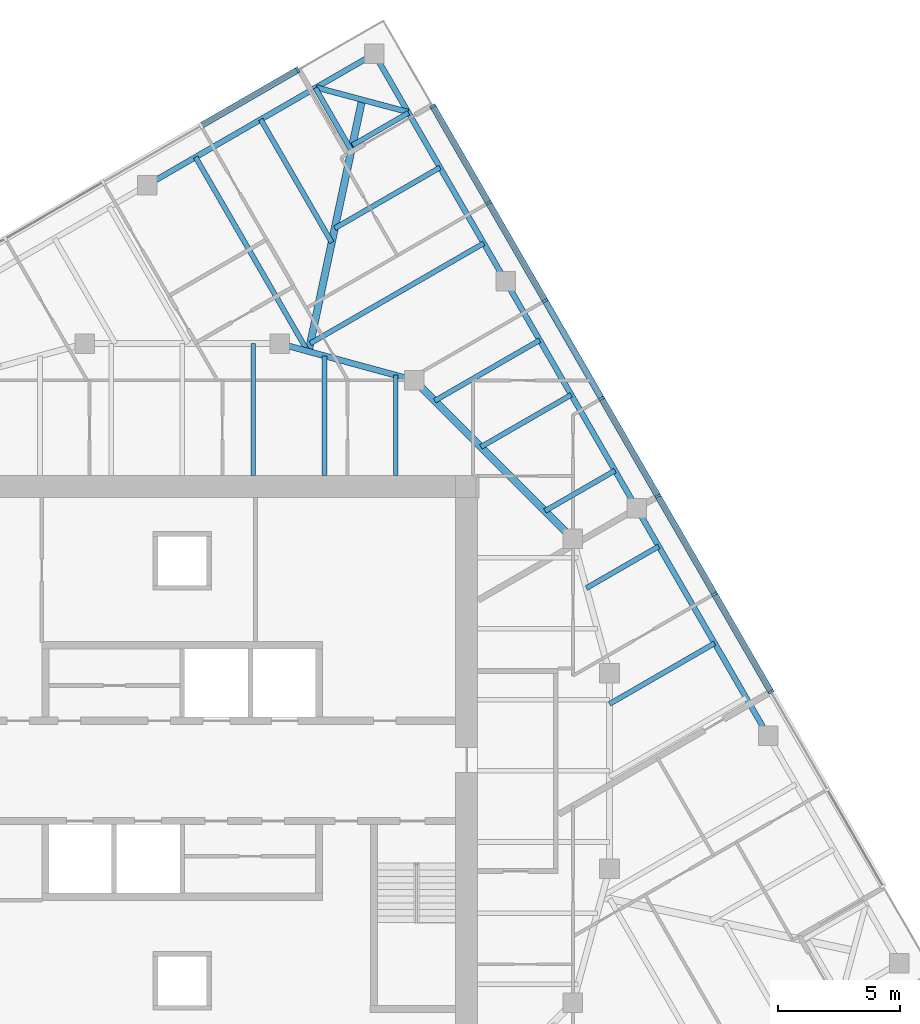
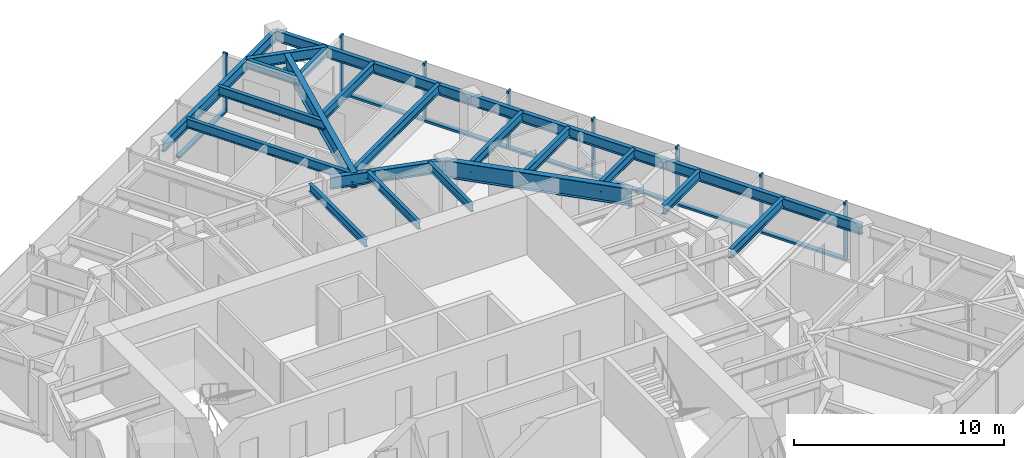
# One storey, part 5 of 12: 22 beams, 15 members, 2 elements without a shape of their own.
"""IFC4 building model written with IfcOpenShell, lengths in metres."""

from ifc_helpers import new_model, si_unit, direction, frame, origin, origin_2d, place, context, subcontext, project, spatial, rectangle, i_section, extrude, material, material_profile, profile_set, type_object, element, aggregate, save


model = new_model("IFC4")

# Units and contexts
model_context = context("Model", 3, precision=1e-05, world=origin(), true_north=direction((0.0, 1.0)))
body_context = subcontext(model_context, "Body", "Model", "MODEL_VIEW")
ifc_project = project(units=[si_unit("LENGTHUNIT", "METRE"), si_unit("AREAUNIT", "SQUARE_METRE"), si_unit("VOLUMEUNIT", "CUBIC_METRE"), si_unit("PLANEANGLEUNIT", "RADIAN"), si_unit("MASSUNIT", "GRAM", prefix="KILO")], contexts=[model_context])

# Site, building, storey
site_placement = place(None, origin())
site = spatial("IfcSite", under=ifc_project, at=site_placement, CompositionType="ELEMENT")
building_placement = place(site_placement, origin())
building = spatial("IfcBuilding", under=site, at=building_placement, Name="Torsade Residences", CompositionType="ELEMENT")
storey_placement = place(building_placement, frame((0.0, 0.0, 221.800048828125)))
storey = spatial("IfcBuildingStorey", under=building, at=storey_placement, Name="L61", CompositionType="ELEMENT", Elevation=221.800048828125)

# Beams
ifc_material_1 = material(Name="Steel grade 300", Category="steel")
ifc_material_profile_1 = material_profile(ifc_material_1, i_section(OverallWidth=0.300048828125, OverallDepth=0.89990234375, WebThickness=0.011962890625, FlangeThickness=0.02490234375, at=origin_2d()), Name="900WB175")
ifc_profile_set_1 = profile_set([ifc_material_profile_1], Name="Steel grade 300")
beam_type_1 = type_object("IfcBeamType", Name="CORNER GIRDER 900WB175", PredefinedType="BEAM", material=ifc_profile_set_1)
beam_1_placement = place(storey_placement, frame((47.3662109375, 57.4912109375, 2.800048828125), z_axis=(-0.20806427425, -0.978115155685, 0.0), x_axis=(0.978115155685, -0.20806427425, 0.0)))
element("IfcBeam", 1, at=beam_1_placement, inside=storey, type_object=beam_type_1, Name="Corner girder 09 L62", PredefinedType="BEAM", context=body_context, shape_type="SweptSolid", body=[
    extrude(i_section(OverallWidth=0.300048828125, OverallDepth=0.89990234375, WebThickness=0.011962890625, FlangeThickness=0.02490234375, at=origin_2d()), origin(), (0.0, 0.0, 1.0), 10.541748046875),
])
ifc_material_2 = material(Name="Steel grade 300", Category="steel")
ifc_material_profile_2 = material_profile(ifc_material_2, i_section(OverallWidth=0.22802734375, OverallDepth=0.60205078125, WebThickness=0.010498046875, FlangeThickness=0.014892578125, FilletRadius=0.013916015625, at=origin_2d()), Name="610UB101")
ifc_profile_set_2 = profile_set([ifc_material_profile_2], Name="Steel grade 300")
beam_type_2 = type_object("IfcBeamType", Name="CORNER TRIMMER 610UB101", PredefinedType="BEAM", material=ifc_profile_set_2)
beam_2_placement = place(storey_placement, frame((45.488037109375, 57.99462890625, 2.948974609375), z_axis=(0.965924794002, -0.258822897619, 0.0), x_axis=(0.258822897619, 0.965924794002, 0.0)))
element("IfcBeam", 2, at=beam_2_placement, inside=storey, type_object=beam_type_2, Name="Corner trimmer 09 L62", PredefinedType="BEAM", context=body_context, shape_type="SweptSolid", body=[
    extrude(i_section(OverallWidth=0.22802734375, OverallDepth=0.60205078125, WebThickness=0.010498046875, FlangeThickness=0.014892578125, FilletRadius=0.013916015625, at=origin_2d()), origin(), (0.0, 0.0, 1.0), 3.88916015625),
])
ifc_material_3 = material(Name="Steel grade 300", Category="steel")
ifc_material_profile_3 = material_profile(ifc_material_3, i_section(OverallWidth=0.22900390625, OverallDepth=0.612060546875, WebThickness=0.011962890625, FlangeThickness=0.01953125, FilletRadius=0.013916015625, at=origin_2d()), Name="610UB125")
ifc_profile_set_3 = profile_set([ifc_material_profile_3], Name="Steel grade 300")
beam_type_3 = type_object("IfcBeamType", Name="EDGE BEAM 610UB125", PredefinedType="SPANDREL", material=ifc_profile_set_3)
for number, where, z_axis, x_axis, name in (
    (3, (63.99462890625, 31.440185546875, 2.94384765625), (-0.499998333915, 0.866026365697, 0.0), (-0.866026365697, -0.499998333915, 0.0), "Edge beam 06 L62"),
    (4, (58.61962890625, 40.75, 2.94384765625), (-0.499998333915, 0.866026365697, 0.0), (-0.866026365697, -0.499998333915, 0.0), "Edge beam 07 L62"),
    (5, (53.24462890625, 50.059814453125, 2.94384765625), (-0.499998333915, 0.866026365697, 0.0), (-0.866026365697, -0.499998333915, 0.0), "Edge beam 08 L62"),
    (6, (47.86962890625, 59.36962890625, 2.94384765625), (-0.866026365697, -0.499998333915, 0.0), (0.499998333915, -0.866026365697, 0.0), "Edge beam 09 L62"),
):
    element("IfcBeam", number, at=place(storey_placement, frame(where, z_axis=z_axis, x_axis=x_axis)), inside=storey, type_object=beam_type_3, Name=name, PredefinedType="SPANDREL", context=body_context, shape_type="SweptSolid", body=[
        extrude(i_section(OverallWidth=0.22900390625, OverallDepth=0.612060546875, WebThickness=0.011962890625, FlangeThickness=0.01953125, FilletRadius=0.013916015625, at=origin_2d()), origin(), (0.0, 0.0, 1.0), 10.75),
    ])

# Curtain wall, members
ifc_material_4 = material(Name="Aluminium and glass", Category="aluminium")
curtain_wall_type = type_object("IfcCurtainWallType", Name="FRITTED GLASS CURTAIN WALL HIGH ZONE", PredefinedType="NOTDEFINED", material=ifc_material_4)
curtain_wall_1_placement = place(storey_placement, origin())
curtain_wall_1 = element("IfcCurtainWall", 7, at=curtain_wall_1_placement, inside=storey, type_object=curtain_wall_type, Name="Curtain wall L61 face 4", PredefinedType="NOTDEFINED")
ifc_material_5 = material(Name="Aluminium mullion", Category="aluminium")
ifc_material_profile_4 = material_profile(ifc_material_5, rectangle(XDim=0.25, YDim=0.10009765625, at=origin_2d()), Name="HIGH ZONE CURTAIN WALL MULLION 250x100")
ifc_profile_set_4 = profile_set([ifc_material_profile_4], Name="Aluminium mullion")
member_type_1 = type_object("IfcMemberType", Name="HIGH ZONE CURTAIN WALL MULLION 250x100", PredefinedType="MULLION", material=ifc_profile_set_4)
member_1_placement = place(storey_placement, frame((64.110595703125, 33.2392578125, 0.0), z_axis=(0.0, 0.0, 1.0), x_axis=(-0.866025404186, -0.499999999305, 0.0)))
member_1 = element("IfcMember", 8, at=member_1_placement, type_object=member_type_1, Name="Mullion 3", PredefinedType="MULLION", context=body_context, shape_type="SweptSolid", body=[
    extrude(rectangle(XDim=0.25, YDim=0.10009765625, at=origin_2d()), origin(), (0.0, 0.0, 1.0), 3.39990234375),
])
member_2_placement = place(storey_placement, frame((61.798095703125, 37.24462890625, 0.0), z_axis=(0.0, 0.0, 1.0), x_axis=(-0.866025404186, -0.499999999305, 0.0)))
member_2 = element("IfcMember", 9, at=member_2_placement, type_object=member_type_1, Name="Mullion 4", PredefinedType="MULLION", context=body_context, shape_type="SweptSolid", body=[
    extrude(rectangle(XDim=0.25, YDim=0.10009765625, at=origin_2d()), origin(), (0.0, 0.0, 1.0), 3.39990234375),
])
member_3_placement = place(storey_placement, frame((59.485595703125, 41.25, 0.0), z_axis=(0.0, 0.0, 1.0), x_axis=(-0.866025404186, -0.499999999305, 0.0)))
member_3 = element("IfcMember", 10, at=member_3_placement, type_object=member_type_1, Name="Mullion 5", PredefinedType="MULLION", context=body_context, shape_type="SweptSolid", body=[
    extrude(rectangle(XDim=0.25, YDim=0.10009765625, at=origin_2d()), origin(), (0.0, 0.0, 1.0), 3.39990234375),
])
member_4_placement = place(storey_placement, frame((57.173095703125, 45.25537109375, 0.0), z_axis=(0.0, 0.0, 1.0), x_axis=(-0.866025404186, -0.499999999305, 0.0)))
member_4 = element("IfcMember", 11, at=member_4_placement, type_object=member_type_1, Name="Mullion 6", PredefinedType="MULLION", context=body_context, shape_type="SweptSolid", body=[
    extrude(rectangle(XDim=0.25, YDim=0.10009765625, at=origin_2d()), origin(), (0.0, 0.0, 1.0), 3.39990234375),
])
member_5_placement = place(storey_placement, frame((54.860595703125, 49.2607421875, 0.0), z_axis=(0.0, 0.0, 1.0), x_axis=(-0.866025404186, -0.499999999305, 0.0)))
member_5 = element("IfcMember", 12, at=member_5_placement, type_object=member_type_1, Name="Mullion 7", PredefinedType="MULLION", context=body_context, shape_type="SweptSolid", body=[
    extrude(rectangle(XDim=0.25, YDim=0.10009765625, at=origin_2d()), origin(), (0.0, 0.0, 1.0), 3.39990234375),
])
member_6_placement = place(storey_placement, frame((52.548095703125, 53.26611328125, 0.0), z_axis=(0.0, 0.0, 1.0), x_axis=(-0.866025404186, -0.499999999305, 0.0)))
member_6 = element("IfcMember", 13, at=member_6_placement, type_object=member_type_1, Name="Mullion 8", PredefinedType="MULLION", context=body_context, shape_type="SweptSolid", body=[
    extrude(rectangle(XDim=0.25, YDim=0.10009765625, at=origin_2d()), origin(), (0.0, 0.0, 1.0), 3.39990234375),
])
member_7_placement = place(storey_placement, frame((50.260498046875, 57.228271484375, 0.0), z_axis=(0.0, 0.0, 1.0), x_axis=(-0.866025404186, -0.499999999305, 0.0)))
member_7 = element("IfcMember", 14, at=member_7_placement, type_object=member_type_1, Name="Mullion 9", PredefinedType="MULLION", context=body_context, shape_type="SweptSolid", body=[
    extrude(rectangle(XDim=0.25, YDim=0.10009765625, at=origin_2d()), origin(), (0.0, 0.0, 1.0), 3.39990234375),
])

# Curtain wall, member
curtain_wall_2_placement = place(storey_placement, origin())
curtain_wall_2 = element("IfcCurtainWall", 15, at=curtain_wall_2_placement, inside=storey, type_object=curtain_wall_type, Name="Curtain wall L61 face 7", PredefinedType="NOTDEFINED")
member_8_placement = place(storey_placement, frame((44.728271484375, 58.710693359375, 0.0), z_axis=(0.0, 0.0, 1.0), x_axis=(0.499999999305, -0.866025404186, 0.0)))
member_8 = element("IfcMember", 16, at=member_8_placement, type_object=member_type_1, Name="Mullion 1", PredefinedType="MULLION", context=body_context, shape_type="SweptSolid", body=[
    extrude(rectangle(XDim=0.25, YDim=0.10009765625, at=origin_2d()), origin(), (0.0, 0.0, 1.0), 3.39990234375),
])

# Member
ifc_material_6 = material(Name="Aluminium transom", Category="aluminium")
ifc_material_profile_5 = material_profile(ifc_material_6, rectangle(XDim=0.25, YDim=0.1201171875, at=origin_2d()), Name="HIGH ZONE CURTAIN WALL TRANSOM 250x120")
ifc_profile_set_5 = profile_set([ifc_material_profile_5], Name="Aluminium transom")
member_type_2 = type_object("IfcMemberType", Name="HIGH ZONE CURTAIN WALL TRANSOM 250x120", PredefinedType="USERDEFINED", material=ifc_profile_set_5)
member_9_placement = place(storey_placement, frame((64.085693359375, 33.282470703125, 0.06005859375), z_axis=(-0.500015112013, 0.866016678684, 0.0), x_axis=(-0.866016678684, -0.500015112013, 0.0)))
member_9 = element("IfcMember", 17, at=member_9_placement, type_object=member_type_2, Name="Transom 3.1", ObjectType="TRANSOM", PredefinedType="USERDEFINED", context=body_context, shape_type="SweptSolid", body=[
    extrude(rectangle(XDim=0.25, YDim=0.1201171875, at=origin_2d()), origin(), (0.0, 0.0, 1.0), 4.525146484375),
])

member_10_placement = place(storey_placement, frame((61.773193359375, 37.287841796875, 0.06005859375), z_axis=(-0.500015112013, 0.866016678684, 0.0), x_axis=(-0.866016678684, -0.500015112013, 0.0)))
member_10 = element("IfcMember", 18, at=member_10_placement, type_object=member_type_2, Name="Transom 4.1", ObjectType="TRANSOM", PredefinedType="USERDEFINED", context=body_context, shape_type="SweptSolid", body=[
    extrude(rectangle(XDim=0.25, YDim=0.1201171875, at=origin_2d()), origin(), (0.0, 0.0, 1.0), 4.525146484375),
])

member_11_placement = place(storey_placement, frame((59.460693359375, 41.293212890625, 0.06005859375), z_axis=(-0.500015112013, 0.866016678684, 0.0), x_axis=(-0.866016678684, -0.500015112013, 0.0)))
member_11 = element("IfcMember", 19, at=member_11_placement, type_object=member_type_2, Name="Transom 5.1", ObjectType="TRANSOM", PredefinedType="USERDEFINED", context=body_context, shape_type="SweptSolid", body=[
    extrude(rectangle(XDim=0.25, YDim=0.1201171875, at=origin_2d()), origin(), (0.0, 0.0, 1.0), 4.525146484375),
])

member_12_placement = place(storey_placement, frame((57.148193359375, 45.298583984375, 0.06005859375), z_axis=(-0.500015112013, 0.866016678684, 0.0), x_axis=(-0.866016678684, -0.500015112013, 0.0)))
member_12 = element("IfcMember", 20, at=member_12_placement, type_object=member_type_2, Name="Transom 6.1", ObjectType="TRANSOM", PredefinedType="USERDEFINED", context=body_context, shape_type="SweptSolid", body=[
    extrude(rectangle(XDim=0.25, YDim=0.1201171875, at=origin_2d()), origin(), (0.0, 0.0, 1.0), 4.525146484375),
])

member_13_placement = place(storey_placement, frame((54.835693359375, 49.303955078125, 0.06005859375), z_axis=(-0.500015112013, 0.866016678684, 0.0), x_axis=(-0.866016678684, -0.500015112013, 0.0)))
member_13 = element("IfcMember", 21, at=member_13_placement, type_object=member_type_2, Name="Transom 7.1", ObjectType="TRANSOM", PredefinedType="USERDEFINED", context=body_context, shape_type="SweptSolid", body=[
    extrude(rectangle(XDim=0.25, YDim=0.1201171875, at=origin_2d()), origin(), (0.0, 0.0, 1.0), 4.525146484375),
])

member_14_placement = place(storey_placement, frame((52.523193359375, 53.309326171875, 0.06005859375), z_axis=(-0.50000580312, 0.866022053326, 0.0), x_axis=(-0.866022053326, -0.50000580312, 0.0)))
member_14 = element("IfcMember", 22, at=member_14_placement, type_object=member_type_2, Name="Transom 8.1", ObjectType="TRANSOM", PredefinedType="USERDEFINED", context=body_context, shape_type="SweptSolid", body=[
    extrude(rectangle(XDim=0.25, YDim=0.1201171875, at=origin_2d()), origin(), (0.0, 0.0, 1.0), 4.47509765625),
])

aggregate(curtain_wall_1, [member_1, member_2, member_3, member_4, member_5, member_6, member_7, member_9, member_10, member_11, member_12, member_13, member_14])

member_15_placement = place(storey_placement, frame((44.684814453125, 58.685546875, 0.06005859375), z_axis=(-0.866022053326, -0.50000580312, 0.0), x_axis=(0.50000580312, -0.866022053326, 0.0)))
member_15 = element("IfcMember", 23, at=member_15_placement, type_object=member_type_2, Name="Transom 1.1", ObjectType="TRANSOM", PredefinedType="USERDEFINED", context=body_context, shape_type="SweptSolid", body=[
    extrude(rectangle(XDim=0.25, YDim=0.1201171875, at=origin_2d()), origin(), (0.0, 0.0, 1.0), 4.47509765625),
])

aggregate(curtain_wall_2, [member_8, member_15])

# Beams
ifc_material_7 = material(Name="Steel grade 300", Category="steel")
ifc_material_profile_6 = material_profile(ifc_material_7, i_section(OverallWidth=0.18994140625, OverallDepth=0.4541015625, WebThickness=0.008544921875, FlangeThickness=0.0126953125, FilletRadius=0.011474609375, at=origin_2d()), Name="460UB67.1")
ifc_profile_set_6 = profile_set([ifc_material_profile_6], Name="Steel grade 300")
beam_type_4 = type_object("IfcBeamType", Name="INNER FLOOR BEAM 460UB67.1", PredefinedType="JOIST", material=ifc_profile_set_6)
beam_3_placement = place(storey_placement, frame((42.91259765625, 42.10009765625, 3.02294921875), z_axis=(0.0, 1.0, 0.0), x_axis=(-1.0, 0.0, 0.0)))
element("IfcBeam", 24, at=beam_3_placement, inside=storey, type_object=beam_type_4, Name="Inner floor beam IN05 L62", PredefinedType="JOIST", context=body_context, shape_type="SweptSolid", body=[
    extrude(i_section(OverallWidth=0.18994140625, OverallDepth=0.4541015625, WebThickness=0.008544921875, FlangeThickness=0.0126953125, FilletRadius=0.011474609375, at=origin_2d()), origin(), (0.0, 0.0, 1.0), 5.39990234375),
])
beam_4_placement = place(storey_placement, frame((45.824951171875, 42.10009765625, 3.02294921875), z_axis=(0.0, 1.0, 0.0), x_axis=(-1.0, 0.0, 0.0)))
element("IfcBeam", 25, at=beam_4_placement, inside=storey, type_object=beam_type_4, Name="Inner floor beam IN06 L62", PredefinedType="JOIST", context=body_context, shape_type="SweptSolid", body=[
    extrude(i_section(OverallWidth=0.18994140625, OverallDepth=0.4541015625, WebThickness=0.008544921875, FlangeThickness=0.0126953125, FilletRadius=0.011474609375, at=origin_2d()), origin(), (0.0, 0.0, 1.0), 4.902099609375),
])
beam_5_placement = place(storey_placement, frame((48.737548828125, 42.10009765625, 3.02294921875), z_axis=(0.0, 1.0, 0.0), x_axis=(-1.0, 0.0, 0.0)))
element("IfcBeam", 26, at=beam_5_placement, inside=storey, type_object=beam_type_4, Name="Inner floor beam IN07 L62", PredefinedType="JOIST", context=body_context, shape_type="SweptSolid", body=[
    extrude(i_section(OverallWidth=0.18994140625, OverallDepth=0.4541015625, WebThickness=0.008544921875, FlangeThickness=0.0126953125, FilletRadius=0.011474609375, at=origin_2d()), origin(), (0.0, 0.0, 1.0), 4.10791015625),
])
ifc_material_8 = material(Name="Steel grade 300", Category="steel")
ifc_material_profile_7 = material_profile(ifc_material_8, i_section(OverallWidth=0.300048828125, OverallDepth=1.0, WebThickness=0.01611328125, FlangeThickness=0.028076171875, at=origin_2d()), Name="1000WB215")
ifc_profile_set_7 = profile_set([ifc_material_profile_7], Name="Steel grade 300")
beam_type_5 = type_object("IfcBeamType", Name="RING CORNER GIRDER 1000WB215", PredefinedType="BEAM", material=ifc_profile_set_7)
beam_6_placement = place(storey_placement, frame((56.0, 39.5, 2.75), z_axis=(-0.707106781187, 0.707106781187, 0.0), x_axis=(-0.707106781187, -0.707106781187, 0.0)))
element("IfcBeam", 27, at=beam_6_placement, inside=storey, type_object=beam_type_5, Name="Ring girder IR03 L62", PredefinedType="BEAM", context=body_context, shape_type="SweptSolid", body=[
    extrude(i_section(OverallWidth=0.300048828125, OverallDepth=1.0, WebThickness=0.01611328125, FlangeThickness=0.028076171875, at=origin_2d()), origin(), (0.0, 0.0, 1.0), 9.1923828125),
])
ifc_material_9 = material(Name="Steel grade 300", Category="steel")
ifc_material_profile_8 = material_profile(ifc_material_9, i_section(OverallWidth=0.25, OverallDepth=0.699951171875, WebThickness=0.010009765625, FlangeThickness=0.02001953125, at=origin_2d()), Name="700WB130")
ifc_profile_set_8 = profile_set([ifc_material_profile_8], Name="Steel grade 300")
beam_type_6 = type_object("IfcBeamType", Name="RING GIRDER 700WB130", PredefinedType="BEAM", material=ifc_profile_set_8)
beam_7_placement = place(storey_placement, frame((49.5, 46.0, 2.89990234375), z_axis=(-0.964763821238, 0.263117405792, 0.0), x_axis=(-0.263117405792, -0.964763821238, 0.0)))
element("IfcBeam", 28, at=beam_7_placement, inside=storey, type_object=beam_type_6, Name="Ring girder IR04 L62", PredefinedType="BEAM", context=body_context, shape_type="SweptSolid", body=[
    extrude(i_section(OverallWidth=0.25, OverallDepth=0.699951171875, WebThickness=0.010009765625, FlangeThickness=0.02001953125, at=origin_2d()), origin(), (0.0, 0.0, 1.0), 5.700927734375),
])
ifc_material_10 = material(Name="Steel grade 300", Category="steel")
ifc_material_profile_9 = material_profile(ifc_material_10, i_section(OverallWidth=0.208984375, OverallDepth=0.528076171875, WebThickness=0.009521484375, FlangeThickness=0.01318359375, FilletRadius=0.013916015625, at=origin_2d()), Name="530UB82.0")
ifc_profile_set_9 = profile_set([ifc_material_profile_9], Name="Steel grade 300")
beam_type_7 = type_object("IfcBeamType", Name="SECONDARY BEAM 530UB82.0", PredefinedType="JOIST", material=ifc_profile_set_9)
beam_8_placement = place(storey_placement, frame((61.80712890625, 35.22900390625, 2.98583984375), z_axis=(-0.866038443216, -0.499977414361, 0.0), x_axis=(0.499977414361, -0.866038443216, 0.0)))
element("IfcBeam", 29, at=beam_8_placement, inside=storey, type_object=beam_type_7, Name="Floor beam FE05 L62", PredefinedType="JOIST", context=body_context, shape_type="SweptSolid", body=[
    extrude(i_section(OverallWidth=0.208984375, OverallDepth=0.528076171875, WebThickness=0.009521484375, FlangeThickness=0.01318359375, FilletRadius=0.013916015625, at=origin_2d()), origin(), (0.0, 0.0, 1.0), 4.973388671875),
])
beam_9_placement = place(storey_placement, frame((59.515380859375, 39.198486328125, 2.98583984375), z_axis=(-0.866001587311, -0.500041249073, 0.0), x_axis=(0.500041249073, -0.866001587311, 0.0)))
element("IfcBeam", 30, at=beam_9_placement, inside=storey, type_object=beam_type_7, Name="Floor beam FE06 L62", PredefinedType="JOIST", context=body_context, shape_type="SweptSolid", body=[
    extrude(i_section(OverallWidth=0.208984375, OverallDepth=0.528076171875, WebThickness=0.009521484375, FlangeThickness=0.01318359375, FilletRadius=0.013916015625, at=origin_2d()), origin(), (0.0, 0.0, 1.0), 3.425048828125),
])
beam_10_placement = place(storey_placement, frame((57.7236328125, 42.301513671875, 2.98583984375), z_axis=(-0.866039541186, -0.499975512502, 0.0), x_axis=(0.499975512502, -0.866039541186, 0.0)))
element("IfcBeam", 31, at=beam_10_placement, inside=storey, type_object=beam_type_7, Name="Floor beam FE07 L62", PredefinedType="JOIST", context=body_context, shape_type="SweptSolid", body=[
    extrude(i_section(OverallWidth=0.208984375, OverallDepth=0.528076171875, WebThickness=0.009521484375, FlangeThickness=0.01318359375, FilletRadius=0.013916015625, at=origin_2d()), origin(), (0.0, 0.0, 1.0), 3.312744140625),
])
beam_11_placement = place(storey_placement, frame((55.93212890625, 45.40478515625, 2.98583984375), z_axis=(-0.866022880939, -0.500004369671, 0.0), x_axis=(0.500004369671, -0.866022880939, 0.0)))
element("IfcBeam", 32, at=beam_11_placement, inside=storey, type_object=beam_type_7, Name="Floor beam FE08 L62", PredefinedType="JOIST", context=body_context, shape_type="SweptSolid", body=[
    extrude(i_section(OverallWidth=0.208984375, OverallDepth=0.528076171875, WebThickness=0.009521484375, FlangeThickness=0.01318359375, FilletRadius=0.013916015625, at=origin_2d()), origin(), (0.0, 0.0, 1.0), 4.27294921875),
])
beam_12_placement = place(storey_placement, frame((54.640380859375, 47.64208984375, 2.98583984375), z_axis=(-0.866043933037, -0.49996790502, 0.0), x_axis=(0.49996790502, -0.866043933037, 0.0)))
element("IfcBeam", 33, at=beam_12_placement, inside=storey, type_object=beam_type_7, Name="Floor beam FE09 L62", PredefinedType="JOIST", context=body_context, shape_type="SweptSolid", body=[
    extrude(i_section(OverallWidth=0.208984375, OverallDepth=0.528076171875, WebThickness=0.009521484375, FlangeThickness=0.01318359375, FilletRadius=0.013916015625, at=origin_2d()), origin(), (0.0, 0.0, 1.0), 4.965087890625),
])
beam_13_placement = place(storey_placement, frame((52.3486328125, 51.611328125, 2.98583984375), z_axis=(-0.866030002502, -0.499992034702, 0.0), x_axis=(0.499992034702, -0.866030002502, 0.0)))
element("IfcBeam", 34, at=beam_13_placement, inside=storey, type_object=beam_type_7, Name="Floor beam FE10 L62", PredefinedType="JOIST", context=body_context, shape_type="SweptSolid", body=[
    extrude(i_section(OverallWidth=0.208984375, OverallDepth=0.528076171875, WebThickness=0.009521484375, FlangeThickness=0.01318359375, FilletRadius=0.013916015625, at=origin_2d()), origin(), (0.0, 0.0, 1.0), 8.205322265625),
])
beam_14_placement = place(storey_placement, frame((50.55712890625, 54.714599609375, 2.98583984375), z_axis=(-0.866043477274, -0.499968694491, 0.0), x_axis=(0.499968694491, -0.866043477274, 0.0)))
element("IfcBeam", 35, at=beam_14_placement, inside=storey, type_object=beam_type_7, Name="Floor beam FE11 L62", PredefinedType="JOIST", context=body_context, shape_type="SweptSolid", body=[
    extrude(i_section(OverallWidth=0.208984375, OverallDepth=0.528076171875, WebThickness=0.009521484375, FlangeThickness=0.01318359375, FilletRadius=0.013916015625, at=origin_2d()), origin(), (0.0, 0.0, 1.0), 4.977783203125),
])
beam_15_placement = place(storey_placement, frame((49.265380859375, 56.951904296875, 2.98583984375), z_axis=(-0.866041431316, -0.499972238474, 0.0), x_axis=(0.499972238474, -0.866041431316, 0.0)))
element("IfcBeam", 36, at=beam_15_placement, inside=storey, type_object=beam_type_7, Name="Floor beam FE12 L62", PredefinedType="JOIST", context=body_context, shape_type="SweptSolid", body=[
    extrude(i_section(OverallWidth=0.208984375, OverallDepth=0.528076171875, WebThickness=0.009521484375, FlangeThickness=0.01318359375, FilletRadius=0.013916015625, at=origin_2d()), origin(), (0.0, 0.0, 1.0), 2.651123046875),
])
beam_16_placement = place(storey_placement, frame((45.451904296875, 57.9736328125, 2.98583984375), z_axis=(0.500014013, -0.866017313224, 0.0), x_axis=(0.866017313224, 0.500014013, 0.0)))
element("IfcBeam", 37, at=beam_16_placement, inside=storey, type_object=beam_type_7, Name="Floor beam FN01 L62", PredefinedType="JOIST", context=body_context, shape_type="SweptSolid", body=[
    extrude(i_section(OverallWidth=0.208984375, OverallDepth=0.528076171875, WebThickness=0.009521484375, FlangeThickness=0.01318359375, FilletRadius=0.013916015625, at=origin_2d()), origin(), (0.0, 0.0, 1.0), 2.94775390625),
])
beam_17_placement = place(storey_placement, frame((43.214599609375, 56.68212890625, 2.98583984375), z_axis=(0.499990133118, -0.866031100357, 0.0), x_axis=(0.866031100357, 0.499990133118, 0.0)))
element("IfcBeam", 38, at=beam_17_placement, inside=storey, type_object=beam_type_7, Name="Floor beam FN02 L62", PredefinedType="JOIST", context=body_context, shape_type="SweptSolid", body=[
    extrude(i_section(OverallWidth=0.208984375, OverallDepth=0.528076171875, WebThickness=0.009521484375, FlangeThickness=0.01318359375, FilletRadius=0.013916015625, at=origin_2d()), origin(), (0.0, 0.0, 1.0), 5.81591796875),
])
beam_18_placement = place(storey_placement, frame((40.54443359375, 55.140380859375, 2.98583984375), z_axis=(0.500006393711, -0.866021712342, 0.0), x_axis=(0.866021712342, 0.500006393711, 0.0)))
element("IfcBeam", 39, at=beam_18_placement, inside=storey, type_object=beam_type_7, Name="Floor beam FN03 L62", PredefinedType="JOIST", context=body_context, shape_type="SweptSolid", body=[
    extrude(i_section(OverallWidth=0.208984375, OverallDepth=0.528076171875, WebThickness=0.009521484375, FlangeThickness=0.01318359375, FilletRadius=0.013916015625, at=origin_2d()), origin(), (0.0, 0.0, 1.0), 9.1796875),
])

save(model, "model.ifc")
